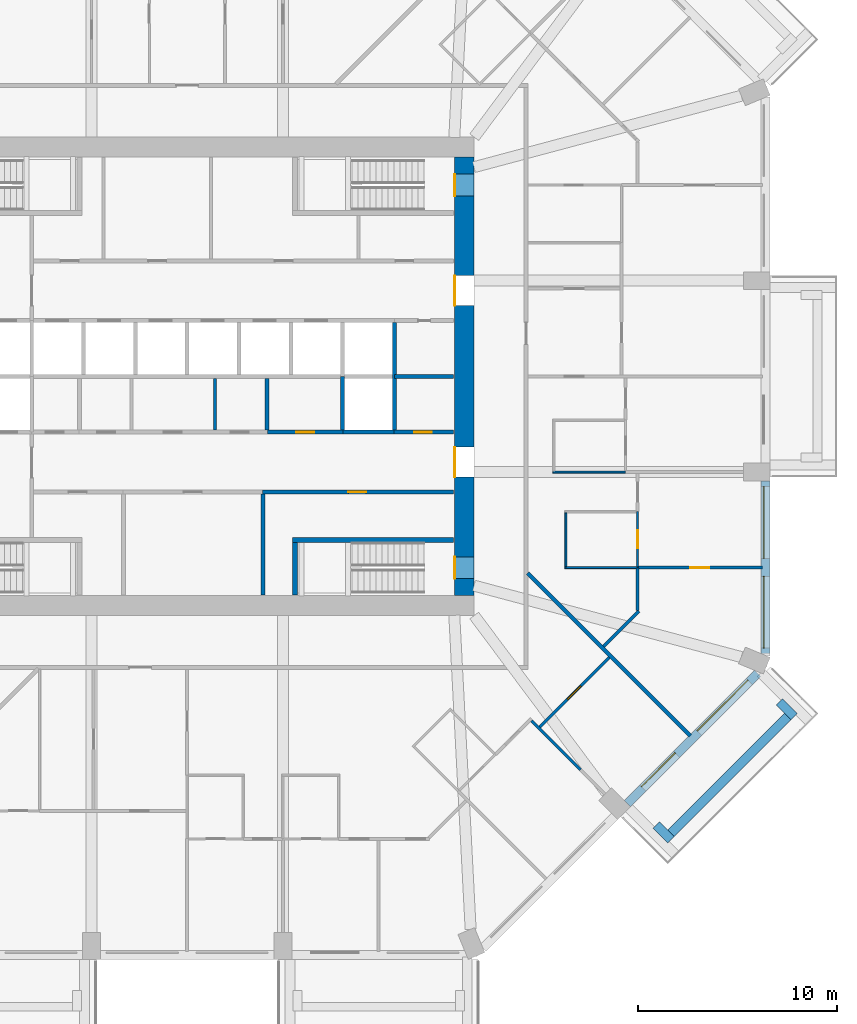
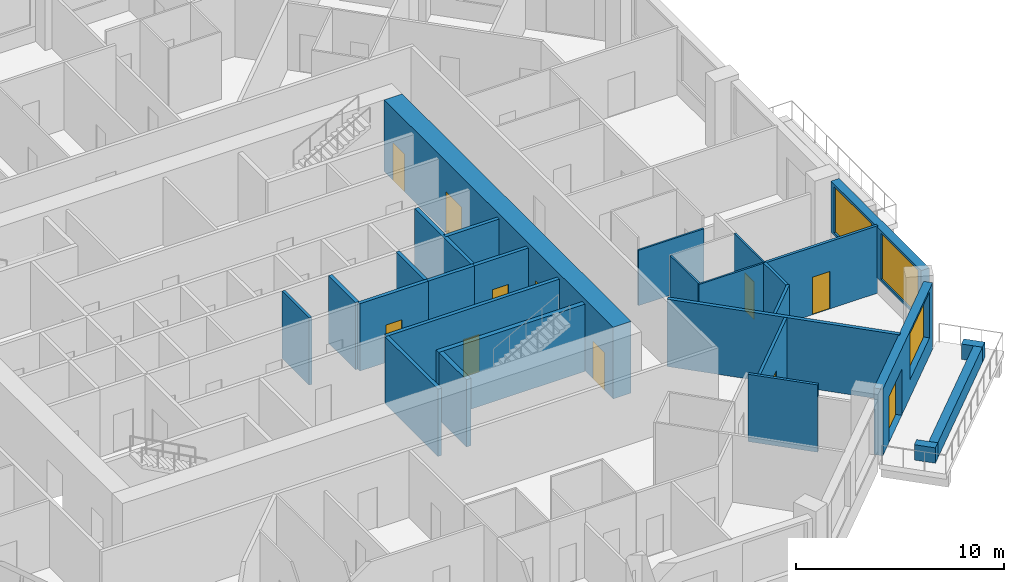
# One storey, part 6 of 13: 28 walls, 11 doors, 3 windows, 14 openings.
"""IFC4 building model written with IfcOpenShell, lengths in metres."""

from ifc_helpers import new_model, si_unit, direction, frame, frame_2d, origin, place, context, subcontext, project, spatial, rectangle, extrude, material, layer, layer_set, type_object, element, fill, save


model = new_model("IFC4")

# Units and contexts
model_context = context("Model", 3, precision=1e-05, world=origin(), true_north=direction((0.0, 1.0)))
body_context = subcontext(model_context, "Body", "Model", "MODEL_VIEW")
ifc_project = project(units=[si_unit("LENGTHUNIT", "METRE"), si_unit("AREAUNIT", "SQUARE_METRE"), si_unit("VOLUMEUNIT", "CUBIC_METRE"), si_unit("PLANEANGLEUNIT", "RADIAN"), si_unit("MASSUNIT", "GRAM", prefix="KILO")], contexts=[model_context])

# Site, building, storey
site_placement = place(None, origin())
site = spatial("IfcSite", under=ifc_project, at=site_placement, CompositionType="ELEMENT")
building_placement = place(site_placement, origin())
building = spatial("IfcBuilding", under=site, at=building_placement, Name="Msitu Wima Residences", CompositionType="ELEMENT")
storey_placement = place(building_placement, frame((0.0, 0.0, 71.699951171875)))
storey = spatial("IfcBuildingStorey", under=building, at=storey_placement, Name="L16", CompositionType="ELEMENT", Elevation=71.699951171875)

# Walls
ifc_material_1 = material(Name="Facing brick")
ifc_layer_1 = layer(ifc_material_1, 0.06494140625, Name="Facing brick")
ifc_material_2 = material(Name="Concrete C40/50", Category="concrete")
ifc_layer_2 = layer(ifc_material_2, 0.156005859375, Name="Concrete C40/50")
ifc_material_3 = material(Name="Waterproofing membrane")
ifc_layer_3 = layer(ifc_material_3, 0.00390625, Name="Waterproofing membrane")
ifc_material_4 = material(Name="Planting soil and planting")
ifc_layer_4 = layer(ifc_material_4, 0.22509765625, Name="Planting soil and planting")
ifc_layer_set_1 = layer_set([ifc_layer_1, ifc_layer_2, ifc_layer_3, ifc_layer_4], Name="Concrete C40/50")
wall_type_1 = type_object("IfcWallType", Name="Balcony planter PLANTER PL450", PredefinedType="USERDEFINED", material=ifc_layer_set_1)
wall_1_placement = place(storey_placement, frame((24.269287109375, -22.92578125, 0.0), z_axis=(0.0, 0.0, 1.0), x_axis=(0.707106781187, 0.707106781187, 0.0)))
element("IfcWall", 1, at=wall_1_placement, inside=storey, type_object=wall_type_1, Name="Balcony planter SE1 L16", ObjectType="PLANTER", PredefinedType="USERDEFINED", context=body_context, shape_type="SweptSolid", body=[
    extrude(rectangle(XDim=8.2822265625, YDim=0.449951171875, at=frame_2d((4.14111328125, 0.0))), origin(), (0.0, 0.0, 1.0), 0.900146484375),
])
for number, where, z_axis, x_axis, name in (
    (2, (23.52685546875, -22.50146484375, 0.0), (0.0, 0.0, 1.0), (0.706990528533, -0.707223014731, 0.0), "Balcony planter SE1 L16"),
    (3, (29.70166015625, -16.326904296875, 0.0), (0.0, 0.0, 1.0), (0.707106781187, -0.707106781187, 0.0), "Balcony planter SE1 L16"),
):
    element("IfcWall", number, at=place(storey_placement, frame(where, z_axis=z_axis, x_axis=x_axis)), inside=storey, type_object=wall_type_1, Name=name, ObjectType="PLANTER", PredefinedType="USERDEFINED", context=body_context, shape_type="SweptSolid", body=[
        extrude(rectangle(XDim=1.050048828125, YDim=0.449951171875, at=frame_2d((0.52490234375, 0.0))), origin(), (0.0, 0.0, 1.0), 0.900146484375),
    ])

# Wall, openings, windows
ifc_material_5 = material(Name="Brick (red buff mix)", Category="masonry")
ifc_layer_5 = layer(ifc_material_5, 0.449951171875)
ifc_layer_set_2 = layer_set([ifc_layer_5], Name="Brick (red buff mix)")
wall_type_2 = type_object("IfcWallType", Name="Brick infill wall BW450", PredefinedType="SOLIDWALL", material=ifc_layer_set_2)
wall_2_placement = place(storey_placement, frame((29.02490234375, -13.912841796875, 0.900146484375), z_axis=(0.0, 0.0, 1.0), x_axis=(0.0, 1.0, 0.0)))
wall_2 = element("IfcWall", 4, at=wall_2_placement, inside=storey, type_object=wall_type_2, Name="Brick infill wall L16 E0", PredefinedType="SOLIDWALL", context=body_context, shape_type="SweptSolid", body=[
    extrude(rectangle(XDim=8.662841796875, YDim=0.449951171875, at=frame_2d((4.33154296875, 0.0))), origin(), (0.0, 0.0, 1.0), 3.0),
])
opening_1_placement = place(wall_2_placement, frame((0.281494140625, 0.0, 0.14990234375)))
opening_1 = element("IfcOpeningElement", 5, at=opening_1_placement, cuts=wall_2, Name="Opening W16-17.001", PredefinedType="OPENING", context=body_context, shape_type="SweptSolid", body=[
    extrude(rectangle(XDim=3.60009765625, YDim=2.699951171875, at=frame_2d((1.800048828125, 1.35009765625))), frame((0.0, 0.23486328125, 0.0), z_axis=(0.0, -1.0, 0.0), x_axis=(1.0, 0.0, 0.0)), (0.0, 0.0, 1.0), 0.469970703125),
])
opening_2_placement = place(wall_2_placement, frame((4.781494140625, 0.0, 0.14990234375)))
opening_2 = element("IfcOpeningElement", 6, at=opening_2_placement, cuts=wall_2, Name="Opening W16-17.002", PredefinedType="OPENING", context=body_context, shape_type="SweptSolid", body=[
    extrude(rectangle(XDim=3.60009765625, YDim=2.699951171875, at=frame_2d((1.800048828125, 1.35009765625))), frame((0.0, 0.23486328125, 0.0), z_axis=(0.0, -1.0, 0.0), x_axis=(1.0, 0.0, 0.0)), (0.0, 0.0, 1.0), 0.469970703125),
])
ifc_material_6 = material(Name="Anodised aluminium, bronze finish, clear low-emissivity double glazing", Category="aluminium")
window_type = type_object("IfcWindowType", Name="Window W3600x2700", PartitioningType="DOUBLE_PANEL_VERTICAL", PredefinedType="WINDOW", material=ifc_material_6)
window_1_placement = place(opening_1_placement, origin())
window_1 = element("IfcWindow", 7, at=window_1_placement, inside=storey, type_object=window_type, Name="Window L16 E0.1", OverallHeight=2.699951171875, OverallWidth=3.60009765625, PartitioningType="SINGLE_PANEL", PredefinedType="WINDOW", context=body_context, shape_type="SweptSolid", body=[
    extrude(rectangle(XDim=3.60009765625, YDim=2.699951171875, at=frame_2d((1.800048828125, 1.35009765625))), frame((0.0, 0.135009765625, 0.0), z_axis=(0.0, -1.0, 0.0), x_axis=(1.0, 0.0, 0.0)), (0.0, 0.0, 1.0), 0.06005859375),
])
fill(opening_1, window_1)
window_2_placement = place(opening_2_placement, origin())
window_2 = element("IfcWindow", 8, at=window_2_placement, inside=storey, type_object=window_type, Name="Window L16 E0.2", OverallHeight=2.699951171875, OverallWidth=3.60009765625, PartitioningType="SINGLE_PANEL", PredefinedType="WINDOW", context=body_context, shape_type="SweptSolid", body=[
    extrude(rectangle(XDim=3.60009765625, YDim=2.699951171875, at=frame_2d((1.800048828125, 1.35009765625))), frame((0.0, 0.135009765625, 0.0), z_axis=(0.0, -1.0, 0.0), x_axis=(1.0, 0.0, 0.0)), (0.0, 0.0, 1.0), 0.06005859375),
])
fill(opening_2, window_2)

# Wall, openings, door, window
wall_3_placement = place(storey_placement, frame((22.077392578125, -21.44091796875, 0.0), z_axis=(0.0, 0.0, 1.0), x_axis=(0.707106781187, 0.707106781187, 0.0)))
wall_3 = element("IfcWall", 9, at=wall_3_placement, inside=storey, type_object=wall_type_2, Name="Brick infill wall L16 SE1", PredefinedType="SOLIDWALL", context=body_context, shape_type="SweptSolid", body=[
    extrude(rectangle(XDim=9.2451171875, YDim=0.449951171875, at=frame_2d((4.62255859375, 0.0))), origin(), (0.0, 0.0, 1.0), 3.900146484375),
])
opening_3_placement = place(wall_3_placement, frame((1.111328125, 0.0, 0.0)))
opening_3 = element("IfcOpeningElement", 10, at=opening_3_placement, cuts=wall_3, Name="Opening D16-17.008", PredefinedType="OPENING", context=body_context, shape_type="SweptSolid", body=[
    extrude(rectangle(XDim=2.39990234375, YDim=2.699951171875, at=frame_2d((1.199951171875, 1.35009765625))), frame((0.0, 0.23486328125, 0.0), z_axis=(0.0, -1.0, 0.0), x_axis=(1.0, 0.0, 0.0)), (0.0, 0.0, 1.0), 0.469970703125),
])
opening_4_placement = place(wall_3_placement, frame((5.072509765625, 0.0, 1.050048828125)))
opening_4 = element("IfcOpeningElement", 11, at=opening_4_placement, cuts=wall_3, Name="Opening W16-17.022", PredefinedType="OPENING", context=body_context, shape_type="SweptSolid", body=[
    extrude(rectangle(XDim=3.60009765625, YDim=2.699951171875, at=frame_2d((1.800048828125, 1.35009765625))), frame((0.0, 0.23486328125, 0.0), z_axis=(0.0, -1.0, 0.0), x_axis=(1.0, 0.0, 0.0)), (0.0, 0.0, 1.0), 0.469970703125),
])
door_type_1 = type_object("IfcDoorType", Name="Balcony door D2400x2700", OperationType="SLIDING_TO_LEFT", PredefinedType="DOOR", material=ifc_material_6)
door_1_placement = place(opening_3_placement, origin())
door_1 = element("IfcDoor", 12, at=door_1_placement, inside=storey, type_object=door_type_1, Name="Balcony door L16 SE1", OperationType="SINGLE_SWING_LEFT", OverallHeight=2.699951171875, OverallWidth=2.39990234375, PredefinedType="DOOR", context=body_context, shape_type="SweptSolid", body=[
    extrude(rectangle(XDim=2.39990234375, YDim=2.699951171875, at=frame_2d((1.199951171875, 1.35009765625))), frame((0.0, 0.1298828125, 0.0), z_axis=(0.0, -1.0, 0.0), x_axis=(1.0, 0.0, 0.0)), (0.0, 0.0, 1.0), 0.050048828125),
])
fill(opening_3, door_1)
window_3_placement = place(opening_4_placement, origin())
window_3 = element("IfcWindow", 13, at=window_3_placement, inside=storey, type_object=window_type, Name="Window L16 SE1.2", OverallHeight=2.699951171875, OverallWidth=3.60009765625, PartitioningType="SINGLE_PANEL", PredefinedType="WINDOW", context=body_context, shape_type="SweptSolid", body=[
    extrude(rectangle(XDim=3.60009765625, YDim=2.699951171875, at=frame_2d((1.800048828125, 1.35009765625))), frame((0.0, 0.135009765625, 0.0), z_axis=(0.0, -1.0, 0.0), x_axis=(1.0, 0.0, 0.0)), (0.0, 0.0, 1.0), 0.06005859375),
])
fill(opening_4, window_3)

# Wall, openings, doors
ifc_material_7 = material(Name="Concrete C80/95", Category="concrete")
ifc_layer_6 = layer(ifc_material_7, 1.0)
ifc_layer_set_3 = layer_set([ifc_layer_6], Name="Concrete C80/95")
wall_type_3 = type_object("IfcWallType", Name="Core wall CW1000 C80/95", PredefinedType="SHEAR", material=ifc_layer_set_3)
wall_4_placement = place(storey_placement, frame((13.89990234375, -11.0, 0.0), z_axis=(0.0, 0.0, 1.0), x_axis=(0.0, 1.0, 0.0)))
wall_4 = element("IfcWall", 14, at=wall_4_placement, inside=storey, type_object=wall_type_3, Name="Core wall", PredefinedType="SHEAR", context=body_context, shape_type="SweptSolid", body=[
    extrude(rectangle(XDim=22.0, YDim=1.0, at=frame_2d((11.0, 0.0))), origin(), (0.0, 0.0, 1.0), 4.199951171875),
])
opening_5_placement = place(wall_4_placement, frame((20.050048828125, 0.0, 0.0)))
opening_5 = element("IfcOpeningElement", 15, at=opening_5_placement, cuts=wall_4, Name="Opening D16-17.040", PredefinedType="OPENING", context=body_context, shape_type="SweptSolid", body=[
    extrude(rectangle(XDim=1.10009765625, YDim=2.199951171875, at=frame_2d((0.550048828125, 1.10009765625))), frame((0.0, 0.510009765625, 0.0), z_axis=(0.0, -1.0, 0.0), x_axis=(1.0, 0.0, 0.0)), (0.0, 0.0, 1.0), 1.02001953125),
])
opening_6_placement = place(wall_4_placement, frame((0.85009765625, 0.0, 0.0)))
opening_6 = element("IfcOpeningElement", 16, at=opening_6_placement, cuts=wall_4, Name="Opening D16-17.041", PredefinedType="OPENING", context=body_context, shape_type="SweptSolid", body=[
    extrude(rectangle(XDim=1.10009765625, YDim=2.199951171875, at=frame_2d((0.550048828125, 1.10009765625))), frame((0.0, 0.510009765625, 0.0), z_axis=(0.0, -1.0, 0.0), x_axis=(1.0, 0.0, 0.0)), (0.0, 0.0, 1.0), 1.02001953125),
])
opening_7_placement = place(wall_4_placement, frame((14.550048828125, 0.0, 0.0)))
opening_7 = element("IfcOpeningElement", 17, at=opening_7_placement, cuts=wall_4, Name="Opening D16-17.027", PredefinedType="OPENING", context=body_context, shape_type="SweptSolid", body=[
    extrude(rectangle(XDim=1.5, YDim=2.39990234375, at=frame_2d((0.75, 1.199951171875))), frame((0.0, 0.510009765625, 0.0), z_axis=(0.0, -1.0, 0.0), x_axis=(1.0, 0.0, 0.0)), (0.0, 0.0, 1.0), 1.02001953125),
])
opening_8_placement = place(wall_4_placement, frame((5.949951171875, 0.0, 0.0)))
opening_8 = element("IfcOpeningElement", 18, at=opening_8_placement, cuts=wall_4, Name="Opening D16-17.028", PredefinedType="OPENING", context=body_context, shape_type="SweptSolid", body=[
    extrude(rectangle(XDim=1.5, YDim=2.39990234375, at=frame_2d((0.75, 1.199951171875))), frame((0.0, 0.510009765625, 0.0), z_axis=(0.0, -1.0, 0.0), x_axis=(1.0, 0.0, 0.0)), (0.0, 0.0, 1.0), 1.02001953125),
])
ifc_material_8 = material(Name="Steel framed glazed door, fire resisting", Category="steel")
door_type_2 = type_object("IfcDoorType", Name="Lobby door D07 1500x2400", OperationType="DOUBLE_DOOR_SINGLE_SWING", PredefinedType="DOOR", material=ifc_material_8)
door_2_placement = place(opening_7_placement, origin())
door_2 = element("IfcDoor", 19, at=door_2_placement, inside=storey, type_object=door_type_2, Name="Lobby door", OperationType="DOUBLE_DOOR_SINGLE_SWING", OverallHeight=2.39990234375, OverallWidth=1.5, PredefinedType="DOOR", context=body_context, shape_type="SweptSolid", body=[
    extrude(rectangle(XDim=1.5, YDim=2.39990234375, at=frame_2d((0.75, 1.199951171875))), frame((0.0, 0.4951171875, 0.0), z_axis=(0.0, -1.0, 0.0), x_axis=(1.0, 0.0, 0.0)), (0.0, 0.0, 1.0), 0.050048828125),
])
fill(opening_7, door_2)
door_3_placement = place(opening_8_placement, origin())
door_3 = element("IfcDoor", 20, at=door_3_placement, inside=storey, type_object=door_type_2, Name="Lobby door", OperationType="DOUBLE_DOOR_SINGLE_SWING", OverallHeight=2.39990234375, OverallWidth=1.5, PredefinedType="DOOR", context=body_context, shape_type="SweptSolid", body=[
    extrude(rectangle(XDim=1.5, YDim=2.39990234375, at=frame_2d((0.75, 1.199951171875))), frame((0.0, 0.4951171875, 0.0), z_axis=(0.0, -1.0, 0.0), x_axis=(1.0, 0.0, 0.0)), (0.0, 0.0, 1.0), 0.050048828125),
])
fill(opening_8, door_3)
ifc_material_9 = material(Name="Steel door, fire resisting, panic bar", Category="steel")
door_type_3 = type_object("IfcDoorType", Name="Stair door D06 1100x2200", OperationType="SINGLE_SWING_LEFT", PredefinedType="DOOR", material=ifc_material_9)
door_4_placement = place(opening_5_placement, origin())
door_4 = element("IfcDoor", 21, at=door_4_placement, inside=storey, type_object=door_type_3, Name="Stair door", OperationType="SINGLE_SWING_LEFT", OverallHeight=2.199951171875, OverallWidth=1.10009765625, PredefinedType="DOOR", context=body_context, shape_type="SweptSolid", body=[
    extrude(rectangle(XDim=1.10009765625, YDim=2.199951171875, at=frame_2d((0.550048828125, 1.10009765625))), frame((0.0, 0.4951171875, 0.0), z_axis=(0.0, -1.0, 0.0), x_axis=(1.0, 0.0, 0.0)), (0.0, 0.0, 1.0), 0.050048828125),
])
fill(opening_5, door_4)
door_5_placement = place(opening_6_placement, origin())
door_5 = element("IfcDoor", 22, at=door_5_placement, inside=storey, type_object=door_type_3, Name="Stair door", OperationType="SINGLE_SWING_RIGHT", OverallHeight=2.199951171875, OverallWidth=1.10009765625, PredefinedType="DOOR", context=body_context, shape_type="SweptSolid", body=[
    extrude(rectangle(XDim=1.10009765625, YDim=2.199951171875, at=frame_2d((0.550048828125, 1.10009765625))), frame((0.0, 0.4951171875, 0.0), z_axis=(0.0, -1.0, 0.0), x_axis=(1.0, 0.0, 0.0)), (0.0, 0.0, 1.0), 0.050048828125),
])
fill(opening_6, door_5)

# Wall, opening, door
ifc_material_10 = material(Name="Plaster")
ifc_layer_7 = layer(ifc_material_10, 0.011962890625, Name="Plaster")
ifc_material_11 = material(Name="Concrete blockwork", Category="masonry")
ifc_layer_8 = layer(ifc_material_11, 0.176025390625, Name="Concrete blockwork")
ifc_layer_9 = layer(ifc_material_10, 0.011962890625, Name="Plaster")
ifc_layer_set_4 = layer_set([ifc_layer_7, ifc_layer_8, ifc_layer_9], Name="Concrete blockwork")
wall_type_4 = type_object("IfcWallType", Name="Corridor wall FW200", PredefinedType="PARTITIONING", material=ifc_layer_set_4)
wall_5_placement = place(storey_placement, frame((3.780029296875, -5.800048828125, 0.0), z_axis=(0.0, 0.0, 1.0), x_axis=(1.0, 0.0, 0.0)))
wall_5 = element("IfcWall", 23, at=wall_5_placement, inside=storey, type_object=wall_type_4, Name="Corridor wall", PredefinedType="PARTITIONING", context=body_context, shape_type="SweptSolid", body=[
    extrude(rectangle(XDim=9.590087890625, YDim=0.199951171875, at=frame_2d((4.794921875, 0.0))), origin(), (0.0, 0.0, 1.0), 3.949951171875),
])
opening_9_placement = place(wall_5_placement, frame((4.300048828125, 0.0, 0.0)))
opening_9 = element("IfcOpeningElement", 24, at=opening_9_placement, cuts=wall_5, Name="Opening D16-17.026", PredefinedType="OPENING", context=body_context, shape_type="SweptSolid", body=[
    extrude(rectangle(XDim=0.89990234375, YDim=2.199951171875, at=frame_2d((0.449951171875, 1.10009765625))), frame((0.0, 0.10986328125, 0.0), z_axis=(0.0, -1.0, 0.0), x_axis=(1.0, 0.0, 0.0)), (0.0, 0.0, 1.0), 0.219970703125),
])
ifc_material_12 = material(Name="Timber flush door", Category="wood")
door_type_4 = type_object("IfcDoorType", Name="Service door D05 900x2200", OperationType="SINGLE_SWING_LEFT", PredefinedType="DOOR", material=ifc_material_12)
door_6_placement = place(opening_9_placement, origin())
door_6 = element("IfcDoor", 25, at=door_6_placement, inside=storey, type_object=door_type_4, Name="Service door", OperationType="SINGLE_SWING_RIGHT", OverallHeight=2.199951171875, OverallWidth=0.89990234375, PredefinedType="DOOR", context=body_context, shape_type="SweptSolid", body=[
    extrude(rectangle(XDim=0.89990234375, YDim=2.199951171875, at=frame_2d((0.449951171875, 1.10009765625))), frame((0.0, 0.02490234375, 0.0), z_axis=(0.0, -1.0, 0.0), x_axis=(1.0, 0.0, 0.0)), (0.0, 0.0, 1.0), 0.050048828125),
])
fill(opening_9, door_6)

# Walls
ifc_layer_10 = layer(ifc_material_10, 0.011962890625, Name="Plaster")
ifc_layer_11 = layer(ifc_material_11, 0.1259765625, Name="Concrete blockwork")
ifc_layer_12 = layer(ifc_material_10, 0.011962890625, Name="Plaster")
ifc_layer_set_5 = layer_set([ifc_layer_10, ifc_layer_11, ifc_layer_12], Name="Concrete blockwork")
wall_type_5 = type_object("IfcWallType", Name="Partition PW150", PredefinedType="PARTITIONING", material=ifc_layer_set_5)
wall_6_placement = place(storey_placement, frame((1.39990234375, -2.699951171875, 0.0), z_axis=(0.0, 0.0, 1.0), x_axis=(0.0, 1.0, 0.0)))
element("IfcWall", 26, at=wall_6_placement, inside=storey, type_object=wall_type_5, Name="Partition", PredefinedType="PARTITIONING", context=body_context, shape_type="SweptSolid", body=[
    extrude(rectangle(XDim=2.599853515625, YDim=0.14990234375, at=frame_2d((1.2998046875, 0.0))), origin(), (0.0, 0.0, 1.0), 3.949951171875),
])
wall_7_placement = place(storey_placement, frame((17.26904296875, -17.26904296875, 0.0), z_axis=(0.0, 0.0, 1.0), x_axis=(0.707106781187, -0.707106781187, 0.0)))
element("IfcWall", 27, at=wall_7_placement, inside=storey, type_object=wall_type_5, Name="Partition", PredefinedType="PARTITIONING", context=body_context, shape_type="SweptSolid", body=[
    extrude(rectangle(XDim=3.4765625, YDim=0.14990234375, at=frame_2d((1.73828125, 0.0))), origin(), (0.0, 0.0, 1.0), 3.949951171875),
])

# Wall, opening, door
wall_8_placement = place(storey_placement, frame((17.693115234375, -17.587158203125, 0.0), z_axis=(0.0, 0.0, 1.0), x_axis=(0.707106781187, 0.707106781187, 0.0)))
wall_8 = element("IfcWall", 28, at=wall_8_placement, inside=storey, type_object=wall_type_5, Name="Partition", PredefinedType="PARTITIONING", context=body_context, shape_type="SweptSolid", body=[
    extrude(rectangle(XDim=4.916259765625, YDim=0.14990234375, at=frame_2d((2.4580078125, 0.0))), origin(), (0.0, 0.0, 1.0), 3.949951171875),
])
opening_10_placement = place(wall_8_placement, frame((1.949951171875, 0.0, 0.0)))
opening_10 = element("IfcOpeningElement", 29, at=opening_10_placement, cuts=wall_8, Name="Opening D16-17.062", PredefinedType="OPENING", context=body_context, shape_type="SweptSolid", body=[
    extrude(rectangle(XDim=0.949951171875, YDim=2.199951171875, at=frame_2d((0.47509765625, 1.10009765625))), frame((0.0, 0.0849609375, 0.0), z_axis=(0.0, -1.0, 0.0), x_axis=(1.0, 0.0, 0.0)), (0.0, 0.0, 1.0), 0.169921875),
])
door_type_5 = type_object("IfcDoorType", Name="Room door D12 950x2200", OperationType="SINGLE_SWING_LEFT", PredefinedType="DOOR", material=ifc_material_12)
door_7_placement = place(opening_10_placement, origin())
door_7 = element("IfcDoor", 30, at=door_7_placement, inside=storey, type_object=door_type_5, Name="Room door", OperationType="SINGLE_SWING_RIGHT", OverallHeight=2.199951171875, OverallWidth=0.949951171875, PredefinedType="DOOR", context=body_context, shape_type="SweptSolid", body=[
    extrude(rectangle(XDim=0.949951171875, YDim=2.199951171875, at=frame_2d((0.47509765625, 1.10009765625))), frame((0.0, 0.02490234375, 0.0), z_axis=(0.0, -1.0, 0.0), x_axis=(1.0, 0.0, 0.0)), (0.0, 0.0, 1.0), 0.050048828125),
])
fill(opening_10, door_7)

# Wall
wall_9_placement = place(storey_placement, frame((20.88671875, -13.545166015625, 0.0), z_axis=(0.0, 0.0, 1.0), x_axis=(0.707106781187, 0.707106781187, 0.0)))
element("IfcWall", 31, at=wall_9_placement, inside=storey, type_object=wall_type_5, Name="Partition", PredefinedType="PARTITIONING", context=body_context, shape_type="SweptSolid", body=[
    extrude(rectangle(XDim=2.498046875, YDim=0.14990234375, at=frame_2d((1.2490234375, 0.0))), origin(), (0.0, 0.0, 1.0), 3.949951171875),
])

# Wall, opening, door
wall_10_placement = place(storey_placement, frame((22.580078125, -9.60009765625, 0.0), z_axis=(0.0, 0.0, 1.0), x_axis=(1.0, 0.0, 0.0)))
wall_10 = element("IfcWall", 32, at=wall_10_placement, inside=storey, type_object=wall_type_5, Name="Partition", PredefinedType="PARTITIONING", context=body_context, shape_type="SweptSolid", body=[
    extrude(rectangle(XDim=6.27490234375, YDim=0.14990234375, at=frame_2d((3.137451171875, 0.0))), origin(), (0.0, 0.0, 1.0), 3.949951171875),
])
opening_11_placement = place(wall_10_placement, frame((2.64990234375, 0.0, 0.0)))
opening_11 = element("IfcOpeningElement", 33, at=opening_11_placement, cuts=wall_10, Name="Opening D16-17.084", PredefinedType="OPENING", context=body_context, shape_type="SweptSolid", body=[
    extrude(rectangle(XDim=0.949951171875, YDim=2.199951171875, at=frame_2d((0.47509765625, 1.10009765625))), frame((0.0, 0.0849609375, 0.0), z_axis=(0.0, -1.0, 0.0), x_axis=(1.0, 0.0, 0.0)), (0.0, 0.0, 1.0), 0.169921875),
])
door_8_placement = place(opening_11_placement, origin())
door_8 = element("IfcDoor", 34, at=door_8_placement, inside=storey, type_object=door_type_5, Name="Room door", OperationType="SINGLE_SWING_RIGHT", OverallHeight=2.199951171875, OverallWidth=0.949951171875, PredefinedType="DOOR", context=body_context, shape_type="SweptSolid", body=[
    extrude(rectangle(XDim=0.949951171875, YDim=2.199951171875, at=frame_2d((0.47509765625, 1.10009765625))), frame((0.0, 0.02490234375, 0.0), z_axis=(0.0, -1.0, 0.0), x_axis=(1.0, 0.0, 0.0)), (0.0, 0.0, 1.0), 0.050048828125),
])
fill(opening_11, door_8)

# Walls
wall_11_placement = place(storey_placement, frame((22.60009765625, -11.7568359375, 0.0), z_axis=(0.0, 0.0, 1.0), x_axis=(0.0, 1.0, 0.0)))
element("IfcWall", 35, at=wall_11_placement, inside=storey, type_object=wall_type_5, Name="Partition", PredefinedType="PARTITIONING", context=body_context, shape_type="SweptSolid", body=[
    extrude(rectangle(XDim=2.13671875, YDim=0.14990234375, at=frame_2d((1.068359375, 0.0))), origin(), (0.0, 0.0, 1.0), 3.949951171875),
])
ifc_layer_13 = layer(ifc_material_10, 0.011962890625, Name="Plaster")
ifc_material_13 = material(Name="Dense concrete blockwork", Category="masonry")
ifc_layer_14 = layer(ifc_material_13, 0.176025390625, Name="Dense concrete blockwork")
ifc_layer_15 = layer(ifc_material_10, 0.011962890625, Name="Plaster")
ifc_layer_set_6 = layer_set([ifc_layer_13, ifc_layer_14, ifc_layer_15], Name="Dense concrete blockwork")
wall_type_6 = type_object("IfcWallType", Name="Party wall PW200", PredefinedType="PARTITIONING", material=ifc_layer_set_6)
wall_12_placement = place(storey_placement, frame((17.07080078125, -9.87060546875, 0.0), z_axis=(0.0, 0.0, 1.0), x_axis=(0.707096213553, -0.707117348662, 0.0)))
element("IfcWall", 36, at=wall_12_placement, inside=storey, type_object=wall_type_6, Name="Party wall", PredefinedType="PARTITIONING", context=body_context, shape_type="SweptSolid", body=[
    extrude(rectangle(XDim=11.551513671875, YDim=0.199951171875, at=frame_2d((5.77587890625, 0.0))), origin(), (0.0, 0.0, 1.0), 3.949951171875),
])
ifc_layer_16 = layer(ifc_material_10, 0.011962890625, Name="Plaster")
ifc_material_14 = material(Name="Reinforced concrete blockwork", Category="masonry")
ifc_layer_17 = layer(ifc_material_14, 0.176025390625, Name="Reinforced concrete blockwork")
ifc_layer_18 = layer(ifc_material_10, 0.011962890625, Name="Plaster")
ifc_layer_set_7 = layer_set([ifc_layer_16, ifc_layer_17, ifc_layer_18], Name="Reinforced concrete blockwork")
wall_type_7 = type_object("IfcWallType", Name="Plant and riser wall PL200", PredefinedType="PARTITIONING", material=ifc_layer_set_7)
wall_13_placement = place(storey_placement, frame((3.800048828125, -10.969970703125, 0.0), z_axis=(0.0, 0.0, 1.0), x_axis=(0.0, 1.0, 0.0)))
element("IfcWall", 37, at=wall_13_placement, inside=storey, type_object=wall_type_7, Name="Plant and riser wall", PredefinedType="PARTITIONING", context=body_context, shape_type="SweptSolid", body=[
    extrude(rectangle(XDim=5.070068359375, YDim=0.199951171875, at=frame_2d((2.53515625, 0.0))), origin(), (0.0, 0.0, 1.0), 3.949951171875),
])

# Wall, opening, door
wall_14_placement = place(storey_placement, frame((4.02001953125, -2.800048828125, 0.0), z_axis=(0.0, 0.0, 1.0), x_axis=(1.0, 0.0, 0.0)))
wall_14 = element("IfcWall", 38, at=wall_14_placement, inside=storey, type_object=wall_type_7, Name="Plant and riser wall", PredefinedType="PARTITIONING", context=body_context, shape_type="SweptSolid", body=[
    extrude(rectangle(XDim=3.800048828125, YDim=0.199951171875, at=frame_2d((1.89990234375, 0.0))), origin(), (0.0, 0.0, 1.0), 3.949951171875),
])
opening_12_placement = place(wall_14_placement, frame((1.449951171875, 0.0, 0.0)))
opening_12 = element("IfcOpeningElement", 39, at=opening_12_placement, cuts=wall_14, Name="Opening D16-17.035", PredefinedType="OPENING", context=body_context, shape_type="SweptSolid", body=[
    extrude(rectangle(XDim=0.89990234375, YDim=2.199951171875, at=frame_2d((0.449951171875, 1.10009765625))), frame((0.0, 0.10986328125, 0.0), z_axis=(0.0, -1.0, 0.0), x_axis=(1.0, 0.0, 0.0)), (0.0, 0.0, 1.0), 0.219970703125),
])
door_9_placement = place(opening_12_placement, origin())
door_9 = element("IfcDoor", 40, at=door_9_placement, inside=storey, type_object=door_type_4, Name="Service door", OperationType="SINGLE_SWING_RIGHT", OverallHeight=2.199951171875, OverallWidth=0.89990234375, PredefinedType="DOOR", context=body_context, shape_type="SweptSolid", body=[
    extrude(rectangle(XDim=0.89990234375, YDim=2.199951171875, at=frame_2d((0.449951171875, 1.10009765625))), frame((0.0, 0.02490234375, 0.0), z_axis=(0.0, -1.0, 0.0), x_axis=(1.0, 0.0, 0.0)), (0.0, 0.0, 1.0), 0.050048828125),
])
fill(opening_12, door_9)

# Wall
wall_15_placement = place(storey_placement, frame((4.0, -2.699951171875, 0.0), z_axis=(0.0, 0.0, 1.0), x_axis=(0.0, 1.0, 0.0)))
element("IfcWall", 41, at=wall_15_placement, inside=storey, type_object=wall_type_7, Name="Plant and riser wall", PredefinedType="PARTITIONING", context=body_context, shape_type="SweptSolid", body=[
    extrude(rectangle(XDim=2.599853515625, YDim=0.199951171875, at=frame_2d((1.2998046875, 0.0))), origin(), (0.0, 0.0, 1.0), 3.949951171875),
])

# Wall, opening, door
wall_16_placement = place(storey_placement, frame((10.3798828125, -2.800048828125, 0.0), z_axis=(0.0, 0.0, 1.0), x_axis=(1.0, 0.0, 0.0)))
wall_16 = element("IfcWall", 42, at=wall_16_placement, inside=storey, type_object=wall_type_7, Name="Plant and riser wall", PredefinedType="PARTITIONING", context=body_context, shape_type="SweptSolid", body=[
    extrude(rectangle(XDim=2.990234375, YDim=0.199951171875, at=frame_2d((1.4951171875, 0.0))), origin(), (0.0, 0.0, 1.0), 3.949951171875),
])
opening_13_placement = place(wall_16_placement, frame((1.0, 0.0, 0.0)))
opening_13 = element("IfcOpeningElement", 43, at=opening_13_placement, cuts=wall_16, Name="Opening D16-17.015", PredefinedType="OPENING", context=body_context, shape_type="SweptSolid", body=[
    extrude(rectangle(XDim=0.89990234375, YDim=2.199951171875, at=frame_2d((0.449951171875, 1.10009765625))), frame((0.0, 0.10986328125, 0.0), z_axis=(0.0, -1.0, 0.0), x_axis=(1.0, 0.0, 0.0)), (0.0, 0.0, 1.0), 0.219970703125),
])
door_10_placement = place(opening_13_placement, origin())
door_10 = element("IfcDoor", 44, at=door_10_placement, inside=storey, type_object=door_type_4, Name="Service door", OperationType="SINGLE_SWING_LEFT", OverallHeight=2.199951171875, OverallWidth=0.89990234375, PredefinedType="DOOR", context=body_context, shape_type="SweptSolid", body=[
    extrude(rectangle(XDim=0.89990234375, YDim=2.199951171875, at=frame_2d((0.449951171875, 1.10009765625))), frame((0.0, 0.02490234375, 0.0), z_axis=(0.0, -1.0, 0.0), x_axis=(1.0, 0.0, 0.0)), (0.0, 0.0, 1.0), 0.050048828125),
])
fill(opening_13, door_10)

# Walls
wall_17_placement = place(storey_placement, frame((10.39990234375, 0.0, 0.0), z_axis=(0.0, 0.0, 1.0), x_axis=(1.0, 0.0, 0.0)))
element("IfcWall", 45, at=wall_17_placement, inside=storey, type_object=wall_type_7, Name="Plant and riser wall", PredefinedType="PARTITIONING", context=body_context, shape_type="SweptSolid", body=[
    extrude(rectangle(XDim=2.97021484375, YDim=0.199951171875, at=frame_2d((1.485107421875, 0.0))), origin(), (0.0, 0.0, 1.0), 3.949951171875),
])
ifc_material_15 = material(Name="Fire-rated board")
ifc_layer_19 = layer(ifc_material_15, 0.02490234375, Name="Fire-rated board")
ifc_material_16 = material(Name="Light-gauge stud framing with mineral wool")
ifc_layer_20 = layer(ifc_material_16, 0.14990234375, Name="Light-gauge stud framing with mineral wool")
ifc_layer_21 = layer(ifc_material_15, 0.02490234375, Name="Fire-rated board")
ifc_layer_set_8 = layer_set([ifc_layer_19, ifc_layer_20, ifc_layer_21], Name="Light-gauge stud framing with mineral wool")
wall_type_8 = type_object("IfcWallType", Name="Shaft wall SH200", PredefinedType="PARTITIONING", material=ifc_layer_set_8)
wall_18_placement = place(storey_placement, frame((7.800048828125, -2.699951171875, 0.0), z_axis=(0.0, 0.0, 1.0), x_axis=(0.0, 1.0, 0.0)))
element("IfcWall", 46, at=wall_18_placement, inside=storey, type_object=wall_type_8, Name="Shaft wall", PredefinedType="PARTITIONING", context=body_context, shape_type="SweptSolid", body=[
    extrude(rectangle(XDim=2.699951171875, YDim=0.199951171875, at=frame_2d((1.35009765625, 0.0))), origin(), (0.0, 0.0, 1.0), 3.949951171875),
])
wall_19_placement = place(storey_placement, frame((7.820068359375, -2.800048828125, 0.0), z_axis=(0.0, 0.0, 1.0), x_axis=(1.0, 0.0, 0.0)))
element("IfcWall", 47, at=wall_19_placement, inside=storey, type_object=wall_type_8, Name="Shaft wall", PredefinedType="PARTITIONING", context=body_context, shape_type="SweptSolid", body=[
    extrude(rectangle(XDim=2.559814453125, YDim=0.199951171875, at=frame_2d((1.27978515625, 0.0))), origin(), (0.0, 0.0, 1.0), 3.949951171875),
])
wall_20_placement = place(storey_placement, frame((10.39990234375, -2.699951171875, 0.0), z_axis=(0.0, 0.0, 1.0), x_axis=(0.0, 1.0, 0.0)))
element("IfcWall", 48, at=wall_20_placement, inside=storey, type_object=wall_type_8, Name="Shaft wall", PredefinedType="PARTITIONING", context=body_context, shape_type="SweptSolid", body=[
    extrude(rectangle(XDim=5.39990234375, YDim=0.199951171875, at=frame_2d((2.699951171875, 0.0))), origin(), (0.0, 0.0, 1.0), 3.949951171875),
])
ifc_material_17 = material(Name="Concrete C50/60", Category="concrete")
ifc_layer_22 = layer(ifc_material_17, 0.25)
ifc_layer_set_9 = layer_set([ifc_layer_22], Name="Concrete C50/60")
wall_type_9 = type_object("IfcWallType", Name="Stair enclosure wall SW250", PredefinedType="SHEAR", material=ifc_layer_set_9)
wall_21_placement = place(storey_placement, frame((5.39990234375, -10.969970703125, 0.0), z_axis=(0.0, 0.0, 1.0), x_axis=(0.0, 1.0, 0.0)))
element("IfcWall", 49, at=wall_21_placement, inside=storey, type_object=wall_type_9, Name="Stair enclosure wall", PredefinedType="SHEAR", context=body_context, shape_type="SweptSolid", body=[
    extrude(rectangle(XDim=2.64501953125, YDim=0.25, at=frame_2d((1.322509765625, 0.0))), origin(), (0.0, 0.0, 1.0), 3.949951171875),
])
wall_22_placement = place(storey_placement, frame((5.27490234375, -8.199951171875, 0.0), z_axis=(0.0, 0.0, 1.0), x_axis=(1.0, 0.0, 0.0)))
element("IfcWall", 50, at=wall_22_placement, inside=storey, type_object=wall_type_9, Name="Stair enclosure wall", PredefinedType="SHEAR", context=body_context, shape_type="SweptSolid", body=[
    extrude(rectangle(XDim=8.09521484375, YDim=0.25, at=frame_2d((4.047607421875, 0.0))), origin(), (0.0, 0.0, 1.0), 3.949951171875),
])
ifc_material_18 = material(Name="Ceramic tiles")
ifc_layer_23 = layer(ifc_material_18, 0.008056640625, Name="Ceramic tiles")
ifc_material_19 = material(Name="Moisture-resistant board")
ifc_layer_24 = layer(ifc_material_19, 0.012451171875, Name="Moisture-resistant board")
ifc_layer_25 = layer(ifc_material_16, 0.06689453125, Name="Light-gauge stud framing with mineral wool")
ifc_layer_26 = layer(ifc_material_19, 0.012451171875, Name="Moisture-resistant board")
ifc_layer_set_10 = layer_set([ifc_layer_23, ifc_layer_24, ifc_layer_25, ifc_layer_26], Name="Light-gauge stud framing with mineral wool")
wall_type_10 = type_object("IfcWallType", Name="Wet wall PW100", PredefinedType="PARTITIONING", material=ifc_layer_set_10)
wall_23_placement = place(storey_placement, frame((18.35009765625, -4.800048828125, 0.0), z_axis=(0.0, 0.0, 1.0), x_axis=(1.0, 0.0, 0.0)))
element("IfcWall", 51, at=wall_23_placement, inside=storey, type_object=wall_type_10, Name="Wet wall", PredefinedType="PARTITIONING", context=body_context, shape_type="SweptSolid", body=[
    extrude(rectangle(XDim=3.6298828125, YDim=0.10009765625, at=frame_2d((1.81494140625, 0.0))), origin(), (0.0, 0.0, 1.0), 3.25),
])
wall_24_placement = place(storey_placement, frame((19.0, -9.550048828125, 0.0), z_axis=(0.0, 0.0, 1.0), x_axis=(0.0, 1.0, 0.0)))
element("IfcWall", 52, at=wall_24_placement, inside=storey, type_object=wall_type_10, Name="Wet wall", PredefinedType="PARTITIONING", context=body_context, shape_type="SweptSolid", body=[
    extrude(rectangle(XDim=2.699951171875, YDim=0.10009765625, at=frame_2d((1.35009765625, 0.0))), origin(), (0.0, 0.0, 1.0), 3.949951171875),
])
wall_25_placement = place(storey_placement, frame((18.949951171875, -9.60009765625, 0.0), z_axis=(0.0, 0.0, 1.0), x_axis=(1.0, 0.0, 0.0)))
element("IfcWall", 53, at=wall_25_placement, inside=storey, type_object=wall_type_10, Name="Wet wall", PredefinedType="PARTITIONING", context=body_context, shape_type="SweptSolid", body=[
    extrude(rectangle(XDim=3.630126953125, YDim=0.10009765625, at=frame_2d((1.81494140625, 0.0))), origin(), (0.0, 0.0, 1.0), 3.949951171875),
])

# Wall, opening, door
wall_26_placement = place(storey_placement, frame((22.60009765625, -9.6201171875, 0.0), z_axis=(0.0, 0.0, 1.0), x_axis=(0.0, 1.0, 0.0)))
wall_26 = element("IfcWall", 54, at=wall_26_placement, inside=storey, type_object=wall_type_10, Name="Wet wall", PredefinedType="PARTITIONING", context=body_context, shape_type="SweptSolid", body=[
    extrude(rectangle(XDim=2.840087890625, YDim=0.10009765625, at=frame_2d((1.419921875, 0.0))), origin(), (0.0, 0.0, 1.0), 3.949951171875),
])
opening_14_placement = place(wall_26_placement, frame((1.0, 0.0, 0.0)))
opening_14 = element("IfcOpeningElement", 55, at=opening_14_placement, cuts=wall_26, Name="Opening D16-17.080", PredefinedType="OPENING", context=body_context, shape_type="SweptSolid", body=[
    extrude(rectangle(XDim=0.89990234375, YDim=2.199951171875, at=frame_2d((0.449951171875, 1.10009765625))), frame((0.0, 0.06005859375, 0.0), z_axis=(0.0, -1.0, 0.0), x_axis=(1.0, 0.0, 0.0)), (0.0, 0.0, 1.0), 0.1201171875),
])
ifc_material_20 = material(Name="Timber flush door, moisture resistant", Category="wood")
door_type_6 = type_object("IfcDoorType", Name="Bathroom door D03 900x2200", OperationType="SINGLE_SWING_LEFT", PredefinedType="DOOR", material=ifc_material_20)
door_11_placement = place(opening_14_placement, origin())
door_11 = element("IfcDoor", 56, at=door_11_placement, inside=storey, type_object=door_type_6, Name="Bathroom door", OperationType="SINGLE_SWING_RIGHT", OverallHeight=2.199951171875, OverallWidth=0.89990234375, PredefinedType="DOOR", context=body_context, shape_type="SweptSolid", body=[
    extrude(rectangle(XDim=0.89990234375, YDim=2.199951171875, at=frame_2d((0.449951171875, 1.10009765625))), frame((0.0, 0.02490234375, 0.0), z_axis=(0.0, -1.0, 0.0), x_axis=(1.0, 0.0, 0.0)), (0.0, 0.0, 1.0), 0.050048828125),
])
fill(opening_14, door_11)

save(model, "model.ifc")
